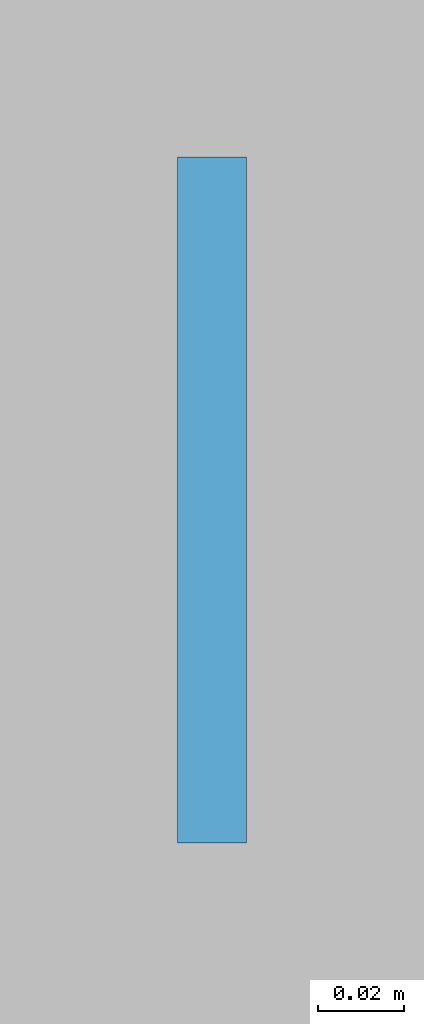
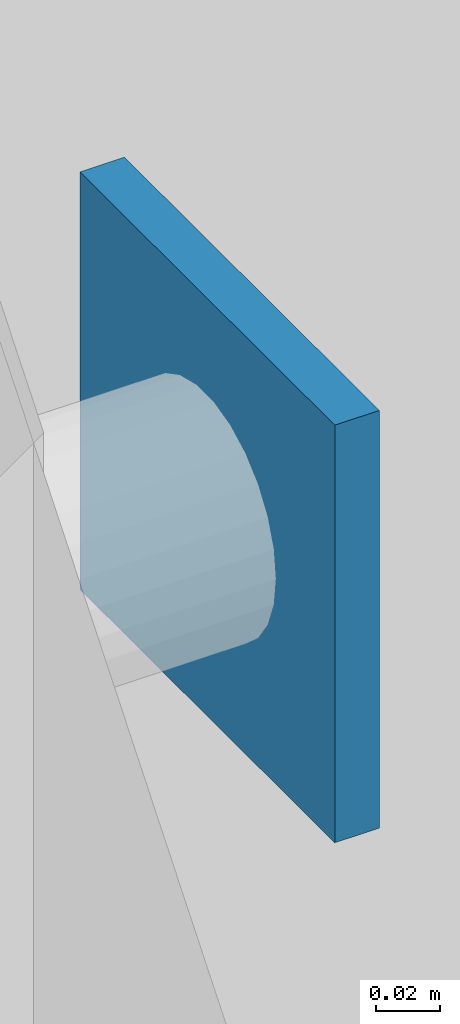
# One storey, part 46 of 85: 1 plate.
"""IFC4 building model written with IfcOpenShell, lengths in metres."""

from ifc_helpers import new_model, si_unit, derived_unit, direction, frame, origin, origin_2d, place, context, subcontext, project, spatial, rectangle, extrude, material, layer, layer_set, type_object, element, save


model = new_model("IFC4")

# Units and contexts
model_context = context("Model", 3, precision=1e-05, world=origin(), true_north=direction((0.0, 1.0)))
body_context = subcontext(model_context, "Body", "Model", "MODEL_VIEW")
ifc_project = project(units=[si_unit("LENGTHUNIT", "METRE"), si_unit("AREAUNIT", "SQUARE_METRE"), si_unit("VOLUMEUNIT", "CUBIC_METRE"), si_unit("PLANEANGLEUNIT", "RADIAN"), si_unit("MASSUNIT", "GRAM", prefix="KILO"), derived_unit("THERMALTRANSMITTANCEUNIT", [(si_unit("POWERUNIT", "WATT"), 1), (si_unit("LENGTHUNIT", "METRE"), -2), (si_unit("THERMODYNAMICTEMPERATUREUNIT", "KELVIN"), -1)])], contexts=[model_context])

# Site, building, storey
site_placement = place(None, origin())
site = spatial("IfcSite", under=ifc_project, at=site_placement, CompositionType="ELEMENT")
building_placement = place(site_placement, origin())
building = spatial("IfcBuilding", under=site, at=building_placement, Name="Braskholm Square Health Centre", CompositionType="ELEMENT")
storey_placement = place(building_placement, frame((0.0, 0.0, 9.300048828125)))
storey = spatial("IfcBuildingStorey", under=building, at=storey_placement, Name="L03", CompositionType="ELEMENT", Elevation=9.300048828125)

# Plate
ifc_material = material(Name="Steel ASTM A572 Grade 50", Category="steel")
ifc_layer = layer(ifc_material, 0.01611328125)
ifc_layer_set = layer_set([ifc_layer], Name="Steel ASTM A572 Grade 50")
plate_type = type_object("IfcPlateType", Name="CapPlateHSS152TN8", PredefinedType="USERDEFINED", material=ifc_layer_set)
plate_placement = place(storey_placement, frame((120.197998046875, 107.0, 2.02001953125), z_axis=(0.0, 0.0, 1.0), x_axis=(1.0, 0.0, 0.0)))
element("IfcPlate", 1, at=plate_placement, inside=storey, type_object=plate_type, Name="Hollow section end cap plate 0328", ObjectType="CAP_PLATE", PredefinedType="USERDEFINED", context=body_context, shape_type="SweptSolid", body=[
    extrude(rectangle(XDim=0.01611328125, YDim=0.159912109375, at=origin_2d()), origin(), (0.0, 0.0, 1.0), 0.159912109375),
])

save(model, "model.ifc")
